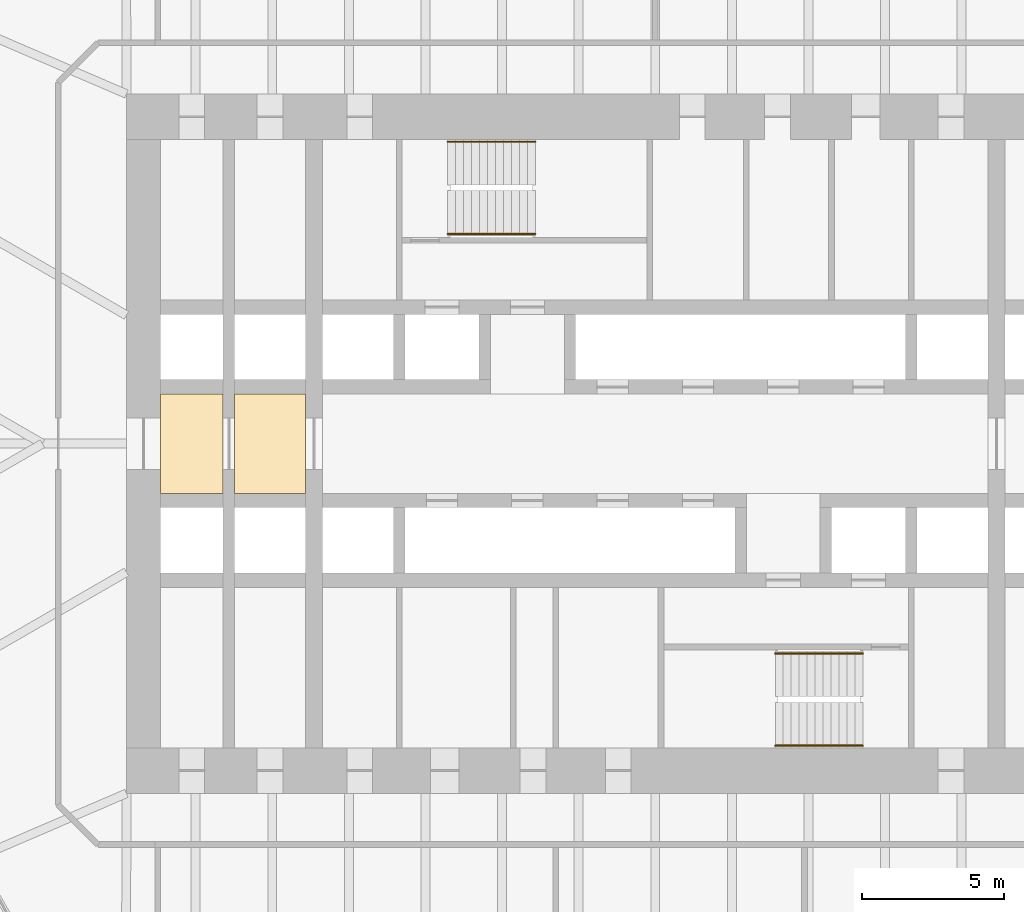
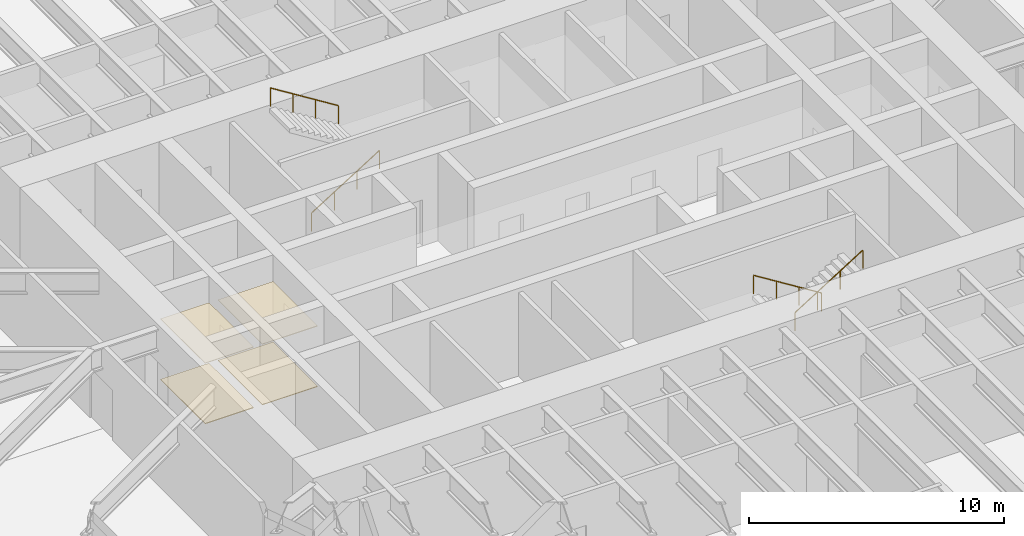
# One storey, part 21 of 23: 4 coverings, 4 railings.
"""IFC4 building model written with IfcOpenShell, lengths in metres."""

import ifcopenshell
import ifcopenshell.guid

model = None  # the IFC model being written
_history = None  # IfcOwnerHistory: only IFC2X3 demands one
_inside = {}  # id of a spatial element -> (the spatial element, [elements in it])
_under = {}  # id of a project, library or spatial element -> (it, [spatial elements below it])
_declared = {}  # id of a project -> (the project, [libraries it declares])
_typed = {}  # id of a type object -> (the type object, [elements of that type])
_made_of = {}  # id of a material, layer set ... -> (it, [elements and type objects made of it])


def new_model(schema):
    """Start an empty IFC model of exactly this schema.

    Asked for "IFC4X3", IfcOpenShell would pick the latest addendum, in which some entities
    have other attributes; the version numbers below select the first issue.
    IFC2X3 requires an IfcOwnerHistory on every rooted entity: one is made here for all.
    """
    global model, _history
    if schema == "IFC4X3":
        model = ifcopenshell.file(schema_version=(4, 3, 0, 0))
    else:
        model = ifcopenshell.file(schema=schema)
    _inside.clear()
    _under.clear()
    _declared.clear()
    _typed.clear()
    _made_of.clear()
    _history = None
    if model.schema == "IFC2X3":
        org = make("IfcOrganization", Name="unknown")
        user = make(
            "IfcPersonAndOrganization",
            ThePerson=make("IfcPerson", FamilyName="unknown"),
            TheOrganization=org,
        )
        app = make(
            "IfcApplication",
            ApplicationDeveloper=org,
            Version="unknown",
            ApplicationFullName="unknown",
            ApplicationIdentifier="unknown",
        )
        _history = make(
            "IfcOwnerHistory",
            OwningUser=user,
            OwningApplication=app,
            ChangeAction="ADDED",
            CreationDate=0,
        )
    return model


def make(cls, **values):
    """One entity of the class cls with the attributes given. An attribute that is None is left unset."""
    return model.create_entity(
        cls, **{name: value for name, value in values.items() if value is not None}
    )


def rooted(cls, **values):
    """An entity with a GlobalId (a new one), such as an element, a storey or a relation."""
    return make(cls, GlobalId=ifcopenshell.guid.new(), OwnerHistory=_history, **values)


def si_unit(unit_type, name, prefix=None):
    """IfcSIUnit, for example si_unit("LENGTHUNIT", "METRE", prefix="MILLI")."""
    return make("IfcSIUnit", UnitType=unit_type, Prefix=prefix, Name=name)


def assignment(units):
    """IfcUnitAssignment: the units of a project."""
    return None if units is None else make("IfcUnitAssignment", Units=units)


def point(xyz):
    """IfcCartesianPoint."""
    return None if xyz is None else make("IfcCartesianPoint", Coordinates=xyz)


def direction(xyz):
    """IfcDirection."""
    return None if xyz is None else make("IfcDirection", DirectionRatios=xyz)


def frame(location, z_axis=None, x_axis=None):
    """IfcAxis2Placement3D, a coordinate frame: its origin and axes. An axis left out is left unset."""
    return make(
        "IfcAxis2Placement3D",
        Location=point(location),
        Axis=direction(z_axis),
        RefDirection=direction(x_axis),
    )


def frame_2d(location, x_axis=None):
    """IfcAxis2Placement2D, a coordinate frame in the plane: its origin and x axis."""
    return make(
        "IfcAxis2Placement2D", Location=point(location), RefDirection=direction(x_axis)
    )


def origin():
    """The frame at (0, 0, 0) with its axes left unset."""
    return frame((0.0, 0.0, 0.0))


def origin_2d():
    """The frame at (0, 0) in the plane with its x axis left unset."""
    return frame_2d((0.0, 0.0))


def place(relative_to, where):
    """IfcLocalPlacement: puts the frame where relative to a parent placement (None: the world)."""
    return make(
        "IfcLocalPlacement", PlacementRelTo=relative_to, RelativePlacement=where
    )


def context(
    kind, dimensions, precision=None, world=None, true_north=None, identifier=None
):
    """IfcGeometricRepresentationContext, for example the 3D "Model" context."""
    return make(
        "IfcGeometricRepresentationContext",
        ContextIdentifier=identifier,
        ContextType=kind,
        CoordinateSpaceDimension=dimensions,
        Precision=precision,
        WorldCoordinateSystem=world,
        TrueNorth=true_north,
    )


def subcontext(parent, identifier, kind, view, scale=None):
    """IfcGeometricRepresentationSubContext, for example "Body" below "Model"."""
    return make(
        "IfcGeometricRepresentationSubContext",
        ContextIdentifier=identifier,
        ContextType=kind,
        ParentContext=parent,
        TargetScale=scale,
        TargetView=view,
    )


def project(units=None, contexts=None):
    """IfcProject with its units and contexts."""
    return rooted(
        "IfcProject",
        Name="project",
        RepresentationContexts=contexts,
        UnitsInContext=assignment(units),
    )


def spatial(cls, under=None, at=None, **own):
    """A site, building, storey or space (cls), placed at a placement, below another one or the project."""
    s = rooted(cls, ObjectPlacement=at, **own)
    if under is not None:
        _under.setdefault(under.id(), (under, []))[1].append(s)
    return s


def polyline(points):
    """IfcPolyline through the points."""
    return make("IfcPolyline", Points=[point(p) for p in points])


def profile(cls, at=None, kind="AREA", **sizes):
    """A parametric profile (cls). Its sizes go by their IFC names, for example OverallWidth=200.0."""
    return make(cls, ProfileType=kind, Position=at, **sizes)


def circle(**sizes):
    """IfcCircleProfileDef."""
    return profile("IfcCircleProfileDef", **sizes)


def outline(outer, holes=None, kind="AREA"):
    """IfcArbitraryClosedProfileDef: a profile drawn as a closed curve; with holes, ...WithVoids."""
    if holes is None:
        return make("IfcArbitraryClosedProfileDef", ProfileType=kind, OuterCurve=outer)
    return make(
        "IfcArbitraryProfileDefWithVoids",
        ProfileType=kind,
        OuterCurve=outer,
        InnerCurves=holes,
    )


def extrude(swept, where, along, depth):
    """IfcExtrudedAreaSolid: the profile swept, set in the frame where, extruded along a direction by depth."""
    return make(
        "IfcExtrudedAreaSolid",
        SweptArea=swept,
        Position=where,
        ExtrudedDirection=direction(along),
        Depth=depth,
    )


def shape(context_of_items, identifier, shape_type, items):
    """IfcShapeRepresentation: the items that make up one representation, for example the "Body"."""
    return make(
        "IfcShapeRepresentation",
        ContextOfItems=context_of_items,
        RepresentationIdentifier=identifier,
        RepresentationType=shape_type,
        Items=items,
    )


def material(Name=None, Category=None):
    """IfcMaterial."""
    return make("IfcMaterial", Name=Name, Category=Category)


def layer(
    of_material, thickness, ventilated=None, Name=None, Category=None, Priority=None
):
    """IfcMaterialLayer: one layer of a wall or slab, of a material (None: an air gap)."""
    return make(
        "IfcMaterialLayer",
        Material=of_material,
        LayerThickness=thickness,
        IsVentilated=ventilated,
        Name=Name,
        Category=Category,
        Priority=Priority,
    )


def layer_set(layers, Name=None):
    """IfcMaterialLayerSet."""
    return make("IfcMaterialLayerSet", MaterialLayers=layers, LayerSetName=Name)


def made_of(thing, what):
    """Note that an element or type object is made of a material, layer set ...; save() writes the relation."""
    if what is not None:
        _made_of.setdefault(what.id(), (what, []))[1].append(thing)
    return thing


def type_object(cls, material=None, **own):
    """A type object (cls), such as IfcWallType, which elements share."""
    return made_of(rooted(cls, **own), material)


def element(
    cls,
    number,
    at=None,
    inside=None,
    cuts=None,
    type_object=None,
    material=None,
    context=None,
    identifier="Body",
    shape_type=None,
    held_by="IfcProductDefinitionShape",
    body=None,
    shapes=None,
    **own,
):
    """One element of the class cls, such as IfcWall. Its Tag is "e" and its number.

    at: its placement. inside: the storey or other place that contains it. cuts: it is an
    opening in that element (IfcRelVoidsElement). A single representation is given by context,
    identifier, shape_type and body (its items); several are given by shapes. held_by: the class
    of the entity that holds the representations. save() writes the other relations.
    """
    e = rooted(cls, Tag="e%d" % number, ObjectPlacement=at, **own)
    if body is not None:
        shapes = [shape(context, identifier, shape_type, body)]
    if shapes is not None:
        e.Representation = make(held_by, Representations=shapes)
    if inside is not None:
        _inside.setdefault(inside.id(), (inside, []))[1].append(e)
    if cuts is not None:
        rooted(
            "IfcRelVoidsElement", RelatingBuildingElement=cuts, RelatedOpeningElement=e
        )
    if type_object is not None:
        _typed.setdefault(type_object.id(), (type_object, []))[1].append(e)
    return made_of(e, material)


def aggregate(whole, parts):
    """IfcRelAggregates: a whole, such as a stair, and the parts it consists of."""
    return rooted("IfcRelAggregates", RelatingObject=whole, RelatedObjects=parts)


def save(model, path):
    """Write the relations noted so far, then the file.

    IfcRelAggregates (storeys below a building ...), IfcRelContainedInSpatialStructure (elements
    in a storey), IfcRelDefinesByType, IfcRelAssociatesMaterial and IfcRelDeclares: one each for
    every whole, place, type object, material and project.
    """
    for whole, parts in _under.values():
        aggregate(whole, parts)
    for where, things in _inside.values():
        rooted(
            "IfcRelContainedInSpatialStructure",
            RelatedElements=things,
            RelatingStructure=where,
        )
    for kind, things in _typed.values():
        rooted("IfcRelDefinesByType", RelatedObjects=things, RelatingType=kind)
    for what, things in _made_of.values():
        rooted("IfcRelAssociatesMaterial", RelatedObjects=things, RelatingMaterial=what)
    for by, libraries in _declared.values():
        rooted("IfcRelDeclares", RelatingContext=by, RelatedDefinitions=libraries)
    model.write(path)


model = new_model("IFC4")

# Units and contexts
model_context = context("Model", 3, precision=1e-05, world=origin(), true_north=direction((0.0, 1.0)))
body_context = subcontext(model_context, "Body", "Model", "MODEL_VIEW")
ifc_project = project(units=[si_unit("LENGTHUNIT", "METRE"), si_unit("AREAUNIT", "SQUARE_METRE"), si_unit("VOLUMEUNIT", "CUBIC_METRE"), si_unit("PLANEANGLEUNIT", "RADIAN"), si_unit("MASSUNIT", "GRAM", prefix="KILO")], contexts=[model_context])

# Site, building, storey
site_placement = place(None, origin())
site = spatial("IfcSite", under=ifc_project, at=site_placement, CompositionType="ELEMENT")
building_placement = place(site_placement, origin())
building = spatial("IfcBuilding", under=site, at=building_placement, Name="Tarfa Lantern Tower", CompositionType="ELEMENT")
storey_placement = place(building_placement, frame((0.0, 0.0, 27.699951171875)))
storey = spatial("IfcBuildingStorey", under=building, at=storey_placement, Name="L05", CompositionType="ELEMENT", Elevation=27.699951171875)

# Coverings
ifc_material_1 = material(Name="Powder-coated aluminium panel", Category="aluminium")
ifc_layer_1 = layer(ifc_material_1, 0.030029296875)
ifc_layer_set_1 = layer_set([ifc_layer_1], Name="CL3 METAL PANEL CEILING 30")
covering_type_1 = type_object("IfcCoveringType", Name="CL3 METAL PANEL CEILING 30", PredefinedType="CEILING", material=ifc_layer_set_1)
covering_1_placement = place(storey_placement, frame((0.0, 0.0, 2.900146484375)))
element("IfcCovering", 1, at=covering_1_placement, inside=storey, type_object=covering_type_1, Name="Ceiling L05-01", PredefinedType="CEILING", context=body_context, shape_type="SweptSolid", body=[
    extrude(outline(polyline([(-17.39990234375, -1.75), (-15.199951171875, -1.75), (-15.199951171875, 1.75), (-17.39990234375, 1.75), (-17.39990234375, -1.75)])), origin(), (0.0, 0.0, 1.0), 0.02978515625),
])
covering_2_placement = place(storey_placement, frame((0.0, 0.0, 2.900146484375)))
element("IfcCovering", 2, at=covering_2_placement, inside=storey, type_object=covering_type_1, Name="Ceiling L05-02", PredefinedType="CEILING", context=body_context, shape_type="SweptSolid", body=[
    extrude(outline(polyline([(-14.800048828125, -1.75), (-12.300048828125, -1.75), (-12.300048828125, 1.75), (-14.800048828125, 1.75), (-14.800048828125, -1.75)])), origin(), (0.0, 0.0, 1.0), 0.02978515625),
])
ifc_material_2 = material(Name="Honed limestone flooring", Category="masonry")
ifc_layer_2 = layer(ifc_material_2, 0.030029296875)
ifc_layer_set_2 = layer_set([ifc_layer_2], Name="FL2 STONE FLOORING 30")
covering_type_2 = type_object("IfcCoveringType", Name="FL2 STONE FLOORING 30", PredefinedType="FLOORING", material=ifc_layer_set_2)
covering_3_placement = place(storey_placement, origin())
element("IfcCovering", 3, at=covering_3_placement, inside=storey, type_object=covering_type_2, Name="Floor finish L05-01", PredefinedType="FLOORING", context=body_context, shape_type="SweptSolid", body=[
    extrude(outline(polyline([(-17.39990234375, -1.75), (-15.199951171875, -1.75), (-15.199951171875, 1.75), (-17.39990234375, 1.75), (-17.39990234375, -1.75)])), origin(), (0.0, 0.0, 1.0), 0.030029296875),
])
covering_4_placement = place(storey_placement, origin())
element("IfcCovering", 4, at=covering_4_placement, inside=storey, type_object=covering_type_2, Name="Floor finish L05-02", PredefinedType="FLOORING", context=body_context, shape_type="SweptSolid", body=[
    extrude(outline(polyline([(-14.800048828125, -1.75), (-12.300048828125, -1.75), (-12.300048828125, 1.75), (-14.800048828125, 1.75), (-14.800048828125, -1.75)])), origin(), (0.0, 0.0, 1.0), 0.030029296875),
])

# Railings
ifc_material_3 = material(Name="Stainless steel", Category="steel")
railing_type = type_object("IfcRailingType", Name="HR1 HANDRAIL 900", PredefinedType="HANDRAIL", material=ifc_material_3)
railing_1_placement = place(storey_placement, frame((-7.300048828125, 7.3798828125, 0.175048828125)))
element("IfcRailing", 5, at=railing_1_placement, inside=storey, type_object=railing_type, Name="Handrail 1", PredefinedType="HANDRAIL", context=body_context, shape_type="SweptSolid", body=[
    extrude(circle(Radius=0.02392578125, at=origin_2d()), frame((0.0, 0.0, 0.8759765625), z_axis=(0.847998304005, 0.0, 0.529998940003), x_axis=(0.0, 1.0, 0.0)), (0.0, 0.0, 1.0), 3.632080078125),
    extrude(circle(Radius=0.02099609375, at=origin_2d()), frame((0.0, 0.0, 0.0), z_axis=(0.0, 0.0, 1.0), x_axis=(0.0, 1.0, 0.0)), (0.0, 0.0, 1.0), 0.851806640625),
    extrude(circle(Radius=0.02099609375, at=origin_2d()), frame((1.026611328125, 0.0, 0.6416015625), z_axis=(0.0, 0.0, 1.0), x_axis=(0.0, 1.0, 0.0)), (0.0, 0.0, 1.0), 0.851806640625),
    extrude(circle(Radius=0.02099609375, at=origin_2d()), frame((2.053466796875, 0.0, 1.283447265625), z_axis=(0.0, 0.0, 1.0), x_axis=(0.0, 1.0, 0.0)), (0.0, 0.0, 1.0), 0.851806640625),
    extrude(circle(Radius=0.02099609375, at=origin_2d()), frame((3.080078125, 0.0, 1.925048828125), z_axis=(0.0, 0.0, 1.0), x_axis=(0.0, 1.0, 0.0)), (0.0, 0.0, 1.0), 0.851806640625),
])
railing_2_placement = place(storey_placement, frame((-4.219970703125, 10.6201171875, 2.275146484375)))
element("IfcRailing", 6, at=railing_2_placement, inside=storey, type_object=railing_type, Name="Handrail 2", PredefinedType="HANDRAIL", context=body_context, shape_type="SweptSolid", body=[
    extrude(circle(Radius=0.02392578125, at=origin_2d()), frame((0.0, 0.0, 0.8759765625), z_axis=(-0.848028513186, 0.0, 0.529950602248), x_axis=(0.0, -1.0, 0.0)), (0.0, 0.0, 1.0), 3.632080078125),
    extrude(circle(Radius=0.02099609375, at=origin_2d()), frame((0.0, 0.0, 0.0), z_axis=(0.0, 0.0, 1.0), x_axis=(0.0, -1.0, 0.0)), (0.0, 0.0, 1.0), 0.851806640625),
    extrude(circle(Radius=0.02099609375, at=origin_2d()), frame((-1.026611328125, 0.0, 0.6416015625), z_axis=(0.0, 0.0, 1.0), x_axis=(0.0, -1.0, 0.0)), (0.0, 0.0, 1.0), 0.851806640625),
    extrude(circle(Radius=0.02099609375, at=origin_2d()), frame((-2.053466796875, 0.0, 1.283203125), z_axis=(0.0, 0.0, 1.0), x_axis=(0.0, -1.0, 0.0)), (0.0, 0.0, 1.0), 0.851806640625),
    extrude(circle(Radius=0.02099609375, at=origin_2d()), frame((-3.080078125, 0.0, 1.9248046875), z_axis=(0.0, 0.0, 1.0), x_axis=(0.0, -1.0, 0.0)), (0.0, 0.0, 1.0), 0.851806640625),
])
railing_3_placement = place(storey_placement, frame((7.300048828125, -7.3798828125, 0.175048828125)))
element("IfcRailing", 7, at=railing_3_placement, inside=storey, type_object=railing_type, Name="Handrail 1", PredefinedType="HANDRAIL", context=body_context, shape_type="SweptSolid", body=[
    extrude(circle(Radius=0.02392578125, at=origin_2d()), frame((0.0, 0.0, 0.8759765625), z_axis=(-0.847998304005, 0.0, 0.529998940003), x_axis=(0.0, -1.0, 0.0)), (0.0, 0.0, 1.0), 3.632080078125),
    extrude(circle(Radius=0.02099609375, at=origin_2d()), frame((0.0, 0.0, 0.0), z_axis=(0.0, 0.0, 1.0), x_axis=(0.0, -1.0, 0.0)), (0.0, 0.0, 1.0), 0.851806640625),
    extrude(circle(Radius=0.02099609375, at=origin_2d()), frame((-1.026611328125, 0.0, 0.6416015625), z_axis=(0.0, 0.0, 1.0), x_axis=(0.0, -1.0, 0.0)), (0.0, 0.0, 1.0), 0.851806640625),
    extrude(circle(Radius=0.02099609375, at=origin_2d()), frame((-2.053466796875, 0.0, 1.283447265625), z_axis=(0.0, 0.0, 1.0), x_axis=(0.0, -1.0, 0.0)), (0.0, 0.0, 1.0), 0.851806640625),
    extrude(circle(Radius=0.02099609375, at=origin_2d()), frame((-3.080078125, 0.0, 1.925048828125), z_axis=(0.0, 0.0, 1.0), x_axis=(0.0, -1.0, 0.0)), (0.0, 0.0, 1.0), 0.851806640625),
])
railing_4_placement = place(storey_placement, frame((4.219970703125, -10.6201171875, 2.275146484375)))
element("IfcRailing", 8, at=railing_4_placement, inside=storey, type_object=railing_type, Name="Handrail 2", PredefinedType="HANDRAIL", context=body_context, shape_type="SweptSolid", body=[
    extrude(circle(Radius=0.02392578125, at=origin_2d()), frame((0.0, 0.0, 0.8759765625), z_axis=(0.848028513186, 0.0, 0.529950602248), x_axis=(0.0, 1.0, 0.0)), (0.0, 0.0, 1.0), 3.632080078125),
    extrude(circle(Radius=0.02099609375, at=origin_2d()), frame((0.0, 0.0, 0.0), z_axis=(0.0, 0.0, 1.0), x_axis=(0.0, 1.0, 0.0)), (0.0, 0.0, 1.0), 0.851806640625),
    extrude(circle(Radius=0.02099609375, at=origin_2d()), frame((1.026611328125, 0.0, 0.6416015625), z_axis=(0.0, 0.0, 1.0), x_axis=(0.0, 1.0, 0.0)), (0.0, 0.0, 1.0), 0.851806640625),
    extrude(circle(Radius=0.02099609375, at=origin_2d()), frame((2.053466796875, 0.0, 1.283203125), z_axis=(0.0, 0.0, 1.0), x_axis=(0.0, 1.0, 0.0)), (0.0, 0.0, 1.0), 0.851806640625),
    extrude(circle(Radius=0.02099609375, at=origin_2d()), frame((3.080078125, 0.0, 1.9248046875), z_axis=(0.0, 0.0, 1.0), x_axis=(0.0, 1.0, 0.0)), (0.0, 0.0, 1.0), 0.851806640625),
])

save(model, "model.ifc")
